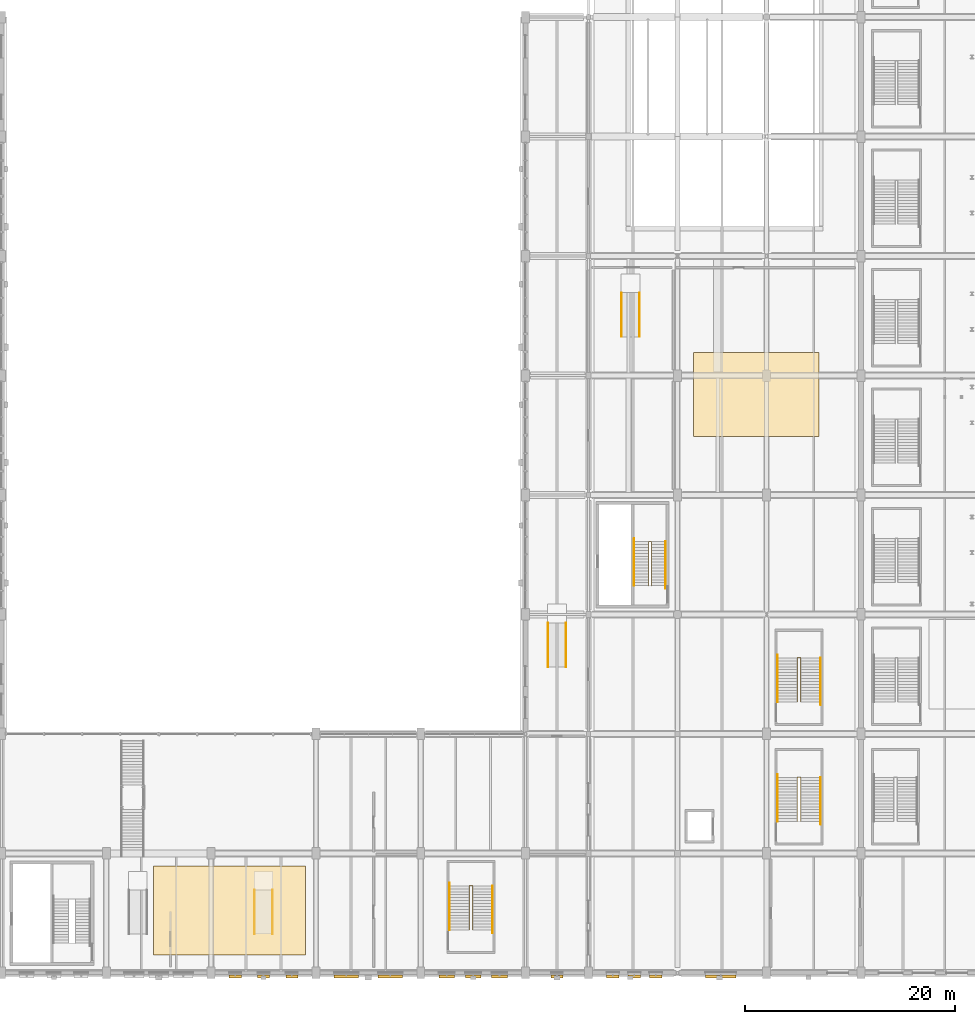
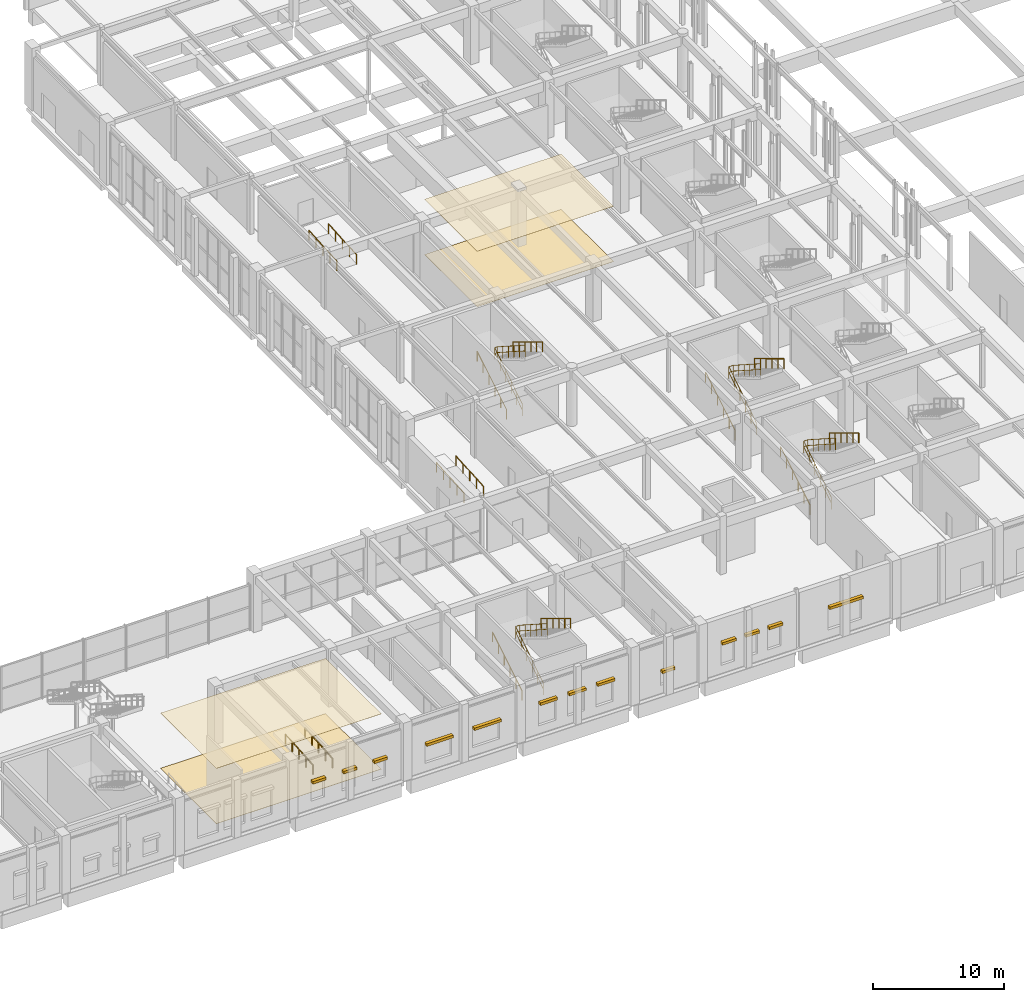
# One storey, part 109 of 113: 18 railings, 13 shading devices, 4 coverings.
"""IFC4 building model written with IfcOpenShell, lengths in metres."""

import ifcopenshell
import ifcopenshell.guid

model = None  # the IFC model being written
_history = None  # IfcOwnerHistory: only IFC2X3 demands one
_inside = {}  # id of a spatial element -> (the spatial element, [elements in it])
_under = {}  # id of a project, library or spatial element -> (it, [spatial elements below it])
_declared = {}  # id of a project -> (the project, [libraries it declares])
_typed = {}  # id of a type object -> (the type object, [elements of that type])
_made_of = {}  # id of a material, layer set ... -> (it, [elements and type objects made of it])


def new_model(schema):
    """Start an empty IFC model of exactly this schema.

    Asked for "IFC4X3", IfcOpenShell would pick the latest addendum, in which some entities
    have other attributes; the version numbers below select the first issue.
    IFC2X3 requires an IfcOwnerHistory on every rooted entity: one is made here for all.
    """
    global model, _history
    if schema == "IFC4X3":
        model = ifcopenshell.file(schema_version=(4, 3, 0, 0))
    else:
        model = ifcopenshell.file(schema=schema)
    _inside.clear()
    _under.clear()
    _declared.clear()
    _typed.clear()
    _made_of.clear()
    _history = None
    if model.schema == "IFC2X3":
        org = make("IfcOrganization", Name="unknown")
        user = make(
            "IfcPersonAndOrganization",
            ThePerson=make("IfcPerson", FamilyName="unknown"),
            TheOrganization=org,
        )
        app = make(
            "IfcApplication",
            ApplicationDeveloper=org,
            Version="unknown",
            ApplicationFullName="unknown",
            ApplicationIdentifier="unknown",
        )
        _history = make(
            "IfcOwnerHistory",
            OwningUser=user,
            OwningApplication=app,
            ChangeAction="ADDED",
            CreationDate=0,
        )
    return model


def make(cls, **values):
    """One entity of the class cls with the attributes given. An attribute that is None is left unset."""
    return model.create_entity(
        cls, **{name: value for name, value in values.items() if value is not None}
    )


def rooted(cls, **values):
    """An entity with a GlobalId (a new one), such as an element, a storey or a relation."""
    return make(cls, GlobalId=ifcopenshell.guid.new(), OwnerHistory=_history, **values)


def si_unit(unit_type, name, prefix=None):
    """IfcSIUnit, for example si_unit("LENGTHUNIT", "METRE", prefix="MILLI")."""
    return make("IfcSIUnit", UnitType=unit_type, Prefix=prefix, Name=name)


def assignment(units):
    """IfcUnitAssignment: the units of a project."""
    return None if units is None else make("IfcUnitAssignment", Units=units)


def point(xyz):
    """IfcCartesianPoint."""
    return None if xyz is None else make("IfcCartesianPoint", Coordinates=xyz)


def direction(xyz):
    """IfcDirection."""
    return None if xyz is None else make("IfcDirection", DirectionRatios=xyz)


def frame(location, z_axis=None, x_axis=None):
    """IfcAxis2Placement3D, a coordinate frame: its origin and axes. An axis left out is left unset."""
    return make(
        "IfcAxis2Placement3D",
        Location=point(location),
        Axis=direction(z_axis),
        RefDirection=direction(x_axis),
    )


def frame_2d(location, x_axis=None):
    """IfcAxis2Placement2D, a coordinate frame in the plane: its origin and x axis."""
    return make(
        "IfcAxis2Placement2D", Location=point(location), RefDirection=direction(x_axis)
    )


def origin():
    """The frame at (0, 0, 0) with its axes left unset."""
    return frame((0.0, 0.0, 0.0))


def origin_2d():
    """The frame at (0, 0) in the plane with its x axis left unset."""
    return frame_2d((0.0, 0.0))


def place(relative_to, where):
    """IfcLocalPlacement: puts the frame where relative to a parent placement (None: the world)."""
    return make(
        "IfcLocalPlacement", PlacementRelTo=relative_to, RelativePlacement=where
    )


def context(
    kind, dimensions, precision=None, world=None, true_north=None, identifier=None
):
    """IfcGeometricRepresentationContext, for example the 3D "Model" context."""
    return make(
        "IfcGeometricRepresentationContext",
        ContextIdentifier=identifier,
        ContextType=kind,
        CoordinateSpaceDimension=dimensions,
        Precision=precision,
        WorldCoordinateSystem=world,
        TrueNorth=true_north,
    )


def subcontext(parent, identifier, kind, view, scale=None):
    """IfcGeometricRepresentationSubContext, for example "Body" below "Model"."""
    return make(
        "IfcGeometricRepresentationSubContext",
        ContextIdentifier=identifier,
        ContextType=kind,
        ParentContext=parent,
        TargetScale=scale,
        TargetView=view,
    )


def project(units=None, contexts=None):
    """IfcProject with its units and contexts."""
    return rooted(
        "IfcProject",
        Name="project",
        RepresentationContexts=contexts,
        UnitsInContext=assignment(units),
    )


def spatial(cls, under=None, at=None, **own):
    """A site, building, storey or space (cls), placed at a placement, below another one or the project."""
    s = rooted(cls, ObjectPlacement=at, **own)
    if under is not None:
        _under.setdefault(under.id(), (under, []))[1].append(s)
    return s


def polyline(points):
    """IfcPolyline through the points."""
    return make("IfcPolyline", Points=[point(p) for p in points])


def profile(cls, at=None, kind="AREA", **sizes):
    """A parametric profile (cls). Its sizes go by their IFC names, for example OverallWidth=200.0."""
    return make(cls, ProfileType=kind, Position=at, **sizes)


def rectangle(**sizes):
    """IfcRectangleProfileDef."""
    return profile("IfcRectangleProfileDef", **sizes)


def circle(**sizes):
    """IfcCircleProfileDef."""
    return profile("IfcCircleProfileDef", **sizes)


def outline(outer, holes=None, kind="AREA"):
    """IfcArbitraryClosedProfileDef: a profile drawn as a closed curve; with holes, ...WithVoids."""
    if holes is None:
        return make("IfcArbitraryClosedProfileDef", ProfileType=kind, OuterCurve=outer)
    return make(
        "IfcArbitraryProfileDefWithVoids",
        ProfileType=kind,
        OuterCurve=outer,
        InnerCurves=holes,
    )


def extrude(swept, where, along, depth):
    """IfcExtrudedAreaSolid: the profile swept, set in the frame where, extruded along a direction by depth."""
    return make(
        "IfcExtrudedAreaSolid",
        SweptArea=swept,
        Position=where,
        ExtrudedDirection=direction(along),
        Depth=depth,
    )


def shape(context_of_items, identifier, shape_type, items):
    """IfcShapeRepresentation: the items that make up one representation, for example the "Body"."""
    return make(
        "IfcShapeRepresentation",
        ContextOfItems=context_of_items,
        RepresentationIdentifier=identifier,
        RepresentationType=shape_type,
        Items=items,
    )


def material(Name=None, Category=None):
    """IfcMaterial."""
    return make("IfcMaterial", Name=Name, Category=Category)


def layer(
    of_material, thickness, ventilated=None, Name=None, Category=None, Priority=None
):
    """IfcMaterialLayer: one layer of a wall or slab, of a material (None: an air gap)."""
    return make(
        "IfcMaterialLayer",
        Material=of_material,
        LayerThickness=thickness,
        IsVentilated=ventilated,
        Name=Name,
        Category=Category,
        Priority=Priority,
    )


def layer_set(layers, Name=None):
    """IfcMaterialLayerSet."""
    return make("IfcMaterialLayerSet", MaterialLayers=layers, LayerSetName=Name)


def made_of(thing, what):
    """Note that an element or type object is made of a material, layer set ...; save() writes the relation."""
    if what is not None:
        _made_of.setdefault(what.id(), (what, []))[1].append(thing)
    return thing


def type_object(cls, material=None, **own):
    """A type object (cls), such as IfcWallType, which elements share."""
    return made_of(rooted(cls, **own), material)


def element(
    cls,
    number,
    at=None,
    inside=None,
    cuts=None,
    type_object=None,
    material=None,
    context=None,
    identifier="Body",
    shape_type=None,
    held_by="IfcProductDefinitionShape",
    body=None,
    shapes=None,
    **own,
):
    """One element of the class cls, such as IfcWall. Its Tag is "e" and its number.

    at: its placement. inside: the storey or other place that contains it. cuts: it is an
    opening in that element (IfcRelVoidsElement). A single representation is given by context,
    identifier, shape_type and body (its items); several are given by shapes. held_by: the class
    of the entity that holds the representations. save() writes the other relations.
    """
    e = rooted(cls, Tag="e%d" % number, ObjectPlacement=at, **own)
    if body is not None:
        shapes = [shape(context, identifier, shape_type, body)]
    if shapes is not None:
        e.Representation = make(held_by, Representations=shapes)
    if inside is not None:
        _inside.setdefault(inside.id(), (inside, []))[1].append(e)
    if cuts is not None:
        rooted(
            "IfcRelVoidsElement", RelatingBuildingElement=cuts, RelatedOpeningElement=e
        )
    if type_object is not None:
        _typed.setdefault(type_object.id(), (type_object, []))[1].append(e)
    return made_of(e, material)


def aggregate(whole, parts):
    """IfcRelAggregates: a whole, such as a stair, and the parts it consists of."""
    return rooted("IfcRelAggregates", RelatingObject=whole, RelatedObjects=parts)


def save(model, path):
    """Write the relations noted so far, then the file.

    IfcRelAggregates (storeys below a building ...), IfcRelContainedInSpatialStructure (elements
    in a storey), IfcRelDefinesByType, IfcRelAssociatesMaterial and IfcRelDeclares: one each for
    every whole, place, type object, material and project.
    """
    for whole, parts in _under.values():
        aggregate(whole, parts)
    for where, things in _inside.values():
        rooted(
            "IfcRelContainedInSpatialStructure",
            RelatedElements=things,
            RelatingStructure=where,
        )
    for kind, things in _typed.values():
        rooted("IfcRelDefinesByType", RelatedObjects=things, RelatingType=kind)
    for what, things in _made_of.values():
        rooted("IfcRelAssociatesMaterial", RelatedObjects=things, RelatingMaterial=what)
    for by, libraries in _declared.values():
        rooted("IfcRelDeclares", RelatingContext=by, RelatedDefinitions=libraries)
    model.write(path)


model = new_model("IFC4")

# Units and contexts
model_context = context("Model", 3, precision=1e-05, world=origin(), true_north=direction((0.0, 1.0)))
body_context = subcontext(model_context, "Body", "Model", "MODEL_VIEW")
ifc_project = project(units=[si_unit("LENGTHUNIT", "METRE"), si_unit("AREAUNIT", "SQUARE_METRE"), si_unit("VOLUMEUNIT", "CUBIC_METRE"), si_unit("PLANEANGLEUNIT", "RADIAN"), si_unit("MASSUNIT", "GRAM", prefix="KILO"), si_unit("POWERUNIT", "WATT"), si_unit("THERMODYNAMICTEMPERATUREUNIT", "KELVIN")], contexts=[model_context])

# Site, building, storey
site_placement = place(None, origin())
site = spatial("IfcSite", under=ifc_project, at=site_placement, CompositionType="ELEMENT")
building_placement = place(site_placement, origin())
building = spatial("IfcBuilding", under=site, at=building_placement, Name="Kelmbourne Parkland Aquatics Centre", CompositionType="ELEMENT")
storey_placement = place(building_placement, origin())
storey = spatial("IfcBuildingStorey", under=building, at=storey_placement, Name="L00", CompositionType="ELEMENT", Elevation=0.0)

# Coverings
ifc_material_1 = material(Name="Moisture-resistant acoustic mineral-fibre baffle ceiling", Category="gypsum")
ifc_layer_1 = layer(ifc_material_1, 0.02490234375)
ifc_layer_set_1 = layer_set([ifc_layer_1], Name="Moisture-resistant acoustic mineral-fibre baffle ceiling")
covering_type_1 = type_object("IfcCoveringType", Name="COV-CLG-AC", PredefinedType="CEILING", material=ifc_layer_set_1)
covering_1_placement = place(storey_placement, frame((0.0, 0.0, 5.135009765625)))
element("IfcCovering", 1, at=covering_1_placement, inside=storey, type_object=covering_type_1, Name="Foyer acoustic ceiling baffles", PredefinedType="CEILING", context=body_context, shape_type="SweptSolid", body=[
    extrude(outline(polyline([(60.5, 2.5), (75.0, 2.5), (75.0, 11.0), (60.5, 11.0), (60.5, 2.5)])), origin(), (0.0, 0.0, 1.0), 0.02490234375),
])
covering_2_placement = place(storey_placement, frame((0.0, 0.0, 5.135009765625)))
element("IfcCovering", 2, at=covering_2_placement, inside=storey, type_object=covering_type_1, Name="Village acoustic ceiling baffles", PredefinedType="CEILING", context=body_context, shape_type="SweptSolid", body=[
    extrude(outline(polyline([(112.0, 52.0), (124.0, 52.0), (124.0, 60.0), (112.0, 60.0), (112.0, 52.0)])), origin(), (0.0, 0.0, 1.0), 0.02490234375),
])
ifc_material_2 = material(Name="Anti-slip vitrified ceramic aquatic deck tile", Category="ceramic")
ifc_layer_2 = layer(ifc_material_2, 0.02001953125)
ifc_layer_set_2 = layer_set([ifc_layer_2], Name="Anti-slip vitrified ceramic aquatic deck tile")
covering_type_2 = type_object("IfcCoveringType", Name="COV-FLR-TILE", PredefinedType="FLOORING", material=ifc_layer_set_2)
covering_3_placement = place(storey_placement, origin())
element("IfcCovering", 3, at=covering_3_placement, inside=storey, type_object=covering_type_2, Name="Foyer anti-slip floor tiling", PredefinedType="FLOORING", context=body_context, shape_type="SweptSolid", body=[
    extrude(outline(polyline([(60.5, 2.5), (75.0, 2.5), (75.0, 11.0), (60.5, 11.0), (60.5, 2.5)])), origin(), (0.0, 0.0, 1.0), 0.02001953125),
])
covering_4_placement = place(storey_placement, origin())
element("IfcCovering", 4, at=covering_4_placement, inside=storey, type_object=covering_type_2, Name="Village anti-slip floor tiling", PredefinedType="FLOORING", context=body_context, shape_type="SweptSolid", body=[
    extrude(outline(polyline([(112.0, 52.0), (124.0, 52.0), (124.0, 60.0), (112.0, 60.0), (112.0, 52.0)])), origin(), (0.0, 0.0, 1.0), 0.02001953125),
])

# Railings
ifc_material_3 = material(Name="Grade 316 marine stainless steel", Category="steel")
railing_type_1 = type_object("IfcRailingType", Name="RL-GD-112", PredefinedType="GUARDRAIL", material=ifc_material_3)
railing_1_placement = place(storey_placement, frame((107.7451171875, 37.75, 0.0)))
element("IfcRailing", 5, at=railing_1_placement, inside=storey, type_object=railing_type_1, Name="East Spine Club and Village Core Stair ST04 well guardrail", PredefinedType="GUARDRAIL", context=body_context, shape_type="SweptSolid", body=[
    extrude(circle(Radius=0.02392578125, at=origin_2d()), frame((0.0, 0.0, 1.09619140625), z_axis=(0.0, 0.841180064094, 0.540755119968), x_axis=(-1.0, 0.0, 0.0)), (0.0, 0.0, 1.0), 4.992919921875),
    extrude(circle(Radius=0.02392578125, at=origin_2d()), frame((0.0, 0.0, 0.56005859375), z_axis=(0.0, 0.841180064094, 0.540755119968), x_axis=(-1.0, 0.0, 0.0)), (0.0, 0.0, 1.0), 4.992919921875),
    extrude(circle(Radius=0.02392578125, at=origin_2d()), frame((0.0, 4.199951171875, 3.7958984375), z_axis=(1.0, 0.0, 0.0), x_axis=(0.0, 1.0, 0.0)), (0.0, 0.0, 1.0), 0.23486328125),
    extrude(circle(Radius=0.02392578125, at=origin_2d()), frame((0.0, 4.199951171875, 3.260009765625), z_axis=(1.0, 0.0, 0.0), x_axis=(0.0, 1.0, 0.0)), (0.0, 0.0, 1.0), 0.23486328125),
    extrude(circle(Radius=0.02392578125, at=origin_2d()), frame((0.23486328125, 4.199951171875, 3.7958984375), z_axis=(0.0, -0.841180064094, 0.540755119968), x_axis=(1.0, 0.0, 0.0)), (0.0, 0.0, 1.0), 4.992919921875),
    extrude(circle(Radius=0.02392578125, at=origin_2d()), frame((0.23486328125, 4.199951171875, 3.260009765625), z_axis=(0.0, -0.841180064094, 0.540755119968), x_axis=(1.0, 0.0, 0.0)), (0.0, 0.0, 1.0), 4.992919921875),
    extrude(circle(Radius=0.02099609375, at=origin_2d()), origin(), (0.0, 0.0, 1.0), 1.072021484375),
    extrude(circle(Radius=0.02099609375, at=origin_2d()), frame((0.0, 0.840087890625, 0.5400390625)), (0.0, 0.0, 1.0), 1.072021484375),
    extrude(circle(Radius=0.02099609375, at=origin_2d()), frame((0.0, 1.679931640625, 1.080078125)), (0.0, 0.0, 1.0), 1.072021484375),
    extrude(circle(Radius=0.02099609375, at=origin_2d()), frame((0.0, 2.52001953125, 1.619873046875)), (0.0, 0.0, 1.0), 1.072021484375),
    extrude(circle(Radius=0.02099609375, at=origin_2d()), frame((0.0, 3.35986328125, 2.159912109375)), (0.0, 0.0, 1.0), 1.072021484375),
    extrude(circle(Radius=0.02099609375, at=origin_2d()), frame((0.0, 4.199951171875, 2.699951171875)), (0.0, 0.0, 1.0), 1.072021484375),
    extrude(circle(Radius=0.02099609375, at=origin_2d()), frame((0.23486328125, 4.199951171875, 2.699951171875)), (0.0, 0.0, 1.0), 1.072021484375),
    extrude(circle(Radius=0.02099609375, at=origin_2d()), frame((0.23486328125, 3.35986328125, 3.239990234375)), (0.0, 0.0, 1.0), 1.072021484375),
    extrude(circle(Radius=0.02099609375, at=origin_2d()), frame((0.23486328125, 2.52001953125, 3.780029296875)), (0.0, 0.0, 1.0), 1.072021484375),
    extrude(circle(Radius=0.02099609375, at=origin_2d()), frame((0.23486328125, 1.679931640625, 4.31982421875)), (0.0, 0.0, 1.0), 1.072021484375),
    extrude(circle(Radius=0.02099609375, at=origin_2d()), frame((0.23486328125, 0.840087890625, 4.85986328125)), (0.0, 0.0, 1.0), 1.072021484375),
    extrude(circle(Radius=0.02099609375, at=origin_2d()), frame((0.23486328125, 0.0, 5.39990234375)), (0.0, 0.0, 1.0), 1.072021484375),
])
railing_2_placement = place(storey_placement, frame((121.919921875, 15.25, 0.0)))
element("IfcRailing", 6, at=railing_2_placement, inside=storey, type_object=railing_type_1, Name="South East Concourse Exit Stair well guardrail", PredefinedType="GUARDRAIL", context=body_context, shape_type="SweptSolid", body=[
    extrude(circle(Radius=0.02392578125, at=origin_2d()), frame((0.0, 0.0, 1.09619140625), z_axis=(0.0, 0.841180064094, 0.540755119968), x_axis=(-1.0, 0.0, 0.0)), (0.0, 0.0, 1.0), 4.992919921875),
    extrude(circle(Radius=0.02392578125, at=origin_2d()), frame((0.0, 0.0, 0.56005859375), z_axis=(0.0, 0.841180064094, 0.540755119968), x_axis=(-1.0, 0.0, 0.0)), (0.0, 0.0, 1.0), 4.992919921875),
    extrude(circle(Radius=0.02392578125, at=origin_2d()), frame((0.0, 4.199951171875, 3.7958984375), z_axis=(1.0, 0.0, 0.0), x_axis=(0.0, 1.0, 0.0)), (0.0, 0.0, 1.0), 0.360107421875),
    extrude(circle(Radius=0.02392578125, at=origin_2d()), frame((0.0, 4.199951171875, 3.260009765625), z_axis=(1.0, 0.0, 0.0), x_axis=(0.0, 1.0, 0.0)), (0.0, 0.0, 1.0), 0.360107421875),
    extrude(circle(Radius=0.02392578125, at=origin_2d()), frame((0.360107421875, 4.199951171875, 3.7958984375), z_axis=(0.0, -0.841180064094, 0.540755119968), x_axis=(1.0, 0.0, 0.0)), (0.0, 0.0, 1.0), 4.992919921875),
    extrude(circle(Radius=0.02392578125, at=origin_2d()), frame((0.360107421875, 4.199951171875, 3.260009765625), z_axis=(0.0, -0.841180064094, 0.540755119968), x_axis=(1.0, 0.0, 0.0)), (0.0, 0.0, 1.0), 4.992919921875),
    extrude(circle(Radius=0.02099609375, at=origin_2d()), origin(), (0.0, 0.0, 1.0), 1.072021484375),
    extrude(circle(Radius=0.02099609375, at=origin_2d()), frame((0.0, 0.840087890625, 0.5400390625)), (0.0, 0.0, 1.0), 1.072021484375),
    extrude(circle(Radius=0.02099609375, at=origin_2d()), frame((0.0, 1.679931640625, 1.080078125)), (0.0, 0.0, 1.0), 1.072021484375),
    extrude(circle(Radius=0.02099609375, at=origin_2d()), frame((0.0, 2.52001953125, 1.619873046875)), (0.0, 0.0, 1.0), 1.072021484375),
    extrude(circle(Radius=0.02099609375, at=origin_2d()), frame((0.0, 3.35986328125, 2.159912109375)), (0.0, 0.0, 1.0), 1.072021484375),
    extrude(circle(Radius=0.02099609375, at=origin_2d()), frame((0.0, 4.199951171875, 2.699951171875)), (0.0, 0.0, 1.0), 1.072021484375),
    extrude(circle(Radius=0.02099609375, at=origin_2d()), frame((0.360107421875, 4.199951171875, 2.699951171875)), (0.0, 0.0, 1.0), 1.072021484375),
    extrude(circle(Radius=0.02099609375, at=origin_2d()), frame((0.360107421875, 3.35986328125, 3.239990234375)), (0.0, 0.0, 1.0), 1.072021484375),
    extrude(circle(Radius=0.02099609375, at=origin_2d()), frame((0.360107421875, 2.52001953125, 3.780029296875)), (0.0, 0.0, 1.0), 1.072021484375),
    extrude(circle(Radius=0.02099609375, at=origin_2d()), frame((0.360107421875, 1.679931640625, 4.31982421875)), (0.0, 0.0, 1.0), 1.072021484375),
    extrude(circle(Radius=0.02099609375, at=origin_2d()), frame((0.360107421875, 0.840087890625, 4.85986328125)), (0.0, 0.0, 1.0), 1.072021484375),
    extrude(circle(Radius=0.02099609375, at=origin_2d()), frame((0.360107421875, 0.0, 5.39990234375)), (0.0, 0.0, 1.0), 1.072021484375),
])
railing_3_placement = place(storey_placement, frame((90.6201171875, 4.89990234375, 0.0)))
element("IfcRailing", 7, at=railing_3_placement, inside=storey, type_object=railing_type_1, Name="Foyer East Gallery Exit Stair well guardrail", PredefinedType="GUARDRAIL", context=body_context, shape_type="SweptSolid", body=[
    extrude(circle(Radius=0.02392578125, at=origin_2d()), frame((0.0, 0.0, 1.09619140625), z_axis=(0.0, 0.841194361566, 0.540732878665), x_axis=(-1.0, 0.0, 0.0)), (0.0, 0.0, 1.0), 4.9931640625),
    extrude(circle(Radius=0.02392578125, at=origin_2d()), frame((0.0, 0.0, 0.56005859375), z_axis=(0.0, 0.841194361566, 0.540732878665), x_axis=(-1.0, 0.0, 0.0)), (0.0, 0.0, 1.0), 4.9931640625),
    extrude(circle(Radius=0.02392578125, at=origin_2d()), frame((0.0, 4.2001953125, 3.7958984375), z_axis=(1.0, 0.0, 0.0), x_axis=(0.0, 1.0, 0.0)), (0.0, 0.0, 1.0), 0.35986328125),
    extrude(circle(Radius=0.02392578125, at=origin_2d()), frame((0.0, 4.2001953125, 3.260009765625), z_axis=(1.0, 0.0, 0.0), x_axis=(0.0, 1.0, 0.0)), (0.0, 0.0, 1.0), 0.35986328125),
    extrude(circle(Radius=0.02392578125, at=origin_2d()), frame((0.35986328125, 4.2001953125, 3.7958984375), z_axis=(0.0, -0.841194361566, 0.540732878665), x_axis=(1.0, 0.0, 0.0)), (0.0, 0.0, 1.0), 4.9931640625),
    extrude(circle(Radius=0.02392578125, at=origin_2d()), frame((0.35986328125, 4.2001953125, 3.260009765625), z_axis=(0.0, -0.841194361566, 0.540732878665), x_axis=(1.0, 0.0, 0.0)), (0.0, 0.0, 1.0), 4.9931640625),
    extrude(circle(Radius=0.02099609375, at=origin_2d()), origin(), (0.0, 0.0, 1.0), 1.072021484375),
    extrude(circle(Radius=0.02099609375, at=origin_2d()), frame((0.0, 0.840087890625, 0.5400390625)), (0.0, 0.0, 1.0), 1.072021484375),
    extrude(circle(Radius=0.02099609375, at=origin_2d()), frame((0.0, 1.68017578125, 1.080078125)), (0.0, 0.0, 1.0), 1.072021484375),
    extrude(circle(Radius=0.02099609375, at=origin_2d()), frame((0.0, 2.52001953125, 1.619873046875)), (0.0, 0.0, 1.0), 1.072021484375),
    extrude(circle(Radius=0.02099609375, at=origin_2d()), frame((0.0, 3.360107421875, 2.159912109375)), (0.0, 0.0, 1.0), 1.072021484375),
    extrude(circle(Radius=0.02099609375, at=origin_2d()), frame((0.0, 4.2001953125, 2.699951171875)), (0.0, 0.0, 1.0), 1.072021484375),
    extrude(circle(Radius=0.02099609375, at=origin_2d()), frame((0.35986328125, 4.2001953125, 2.699951171875)), (0.0, 0.0, 1.0), 1.072021484375),
    extrude(circle(Radius=0.02099609375, at=origin_2d()), frame((0.35986328125, 3.360107421875, 3.239990234375)), (0.0, 0.0, 1.0), 1.072021484375),
    extrude(circle(Radius=0.02099609375, at=origin_2d()), frame((0.35986328125, 2.52001953125, 3.780029296875)), (0.0, 0.0, 1.0), 1.072021484375),
    extrude(circle(Radius=0.02099609375, at=origin_2d()), frame((0.35986328125, 1.68017578125, 4.31982421875)), (0.0, 0.0, 1.0), 1.072021484375),
    extrude(circle(Radius=0.02099609375, at=origin_2d()), frame((0.35986328125, 0.840087890625, 4.85986328125)), (0.0, 0.0, 1.0), 1.072021484375),
    extrude(circle(Radius=0.02099609375, at=origin_2d()), frame((0.35986328125, 0.0, 5.39990234375)), (0.0, 0.0, 1.0), 1.072021484375),
])
railing_4_placement = place(storey_placement, frame((121.919921875, 26.64990234375, 0.0)))
element("IfcRailing", 8, at=railing_4_placement, inside=storey, type_object=railing_type_1, Name="East Club Terrace Exit Stair well guardrail", PredefinedType="GUARDRAIL", context=body_context, shape_type="SweptSolid", body=[
    extrude(circle(Radius=0.02392578125, at=origin_2d()), frame((0.0, 0.0, 1.09619140625), z_axis=(0.0, 0.841194361566, 0.540732878665), x_axis=(-1.0, 0.0, 0.0)), (0.0, 0.0, 1.0), 4.9931640625),
    extrude(circle(Radius=0.02392578125, at=origin_2d()), frame((0.0, 0.0, 0.56005859375), z_axis=(0.0, 0.841194361566, 0.540732878665), x_axis=(-1.0, 0.0, 0.0)), (0.0, 0.0, 1.0), 4.9931640625),
    extrude(circle(Radius=0.02392578125, at=origin_2d()), frame((0.0, 4.2001953125, 3.7958984375), z_axis=(1.0, 0.0, 0.0), x_axis=(0.0, 1.0, 0.0)), (0.0, 0.0, 1.0), 0.360107421875),
    extrude(circle(Radius=0.02392578125, at=origin_2d()), frame((0.0, 4.2001953125, 3.260009765625), z_axis=(1.0, 0.0, 0.0), x_axis=(0.0, 1.0, 0.0)), (0.0, 0.0, 1.0), 0.360107421875),
    extrude(circle(Radius=0.02392578125, at=origin_2d()), frame((0.360107421875, 4.2001953125, 3.7958984375), z_axis=(0.0, -0.841194361566, 0.540732878665), x_axis=(1.0, 0.0, 0.0)), (0.0, 0.0, 1.0), 4.9931640625),
    extrude(circle(Radius=0.02392578125, at=origin_2d()), frame((0.360107421875, 4.2001953125, 3.260009765625), z_axis=(0.0, -0.841194361566, 0.540732878665), x_axis=(1.0, 0.0, 0.0)), (0.0, 0.0, 1.0), 4.9931640625),
    extrude(circle(Radius=0.02099609375, at=origin_2d()), origin(), (0.0, 0.0, 1.0), 1.072021484375),
    extrude(circle(Radius=0.02099609375, at=origin_2d()), frame((0.0, 0.840087890625, 0.5400390625)), (0.0, 0.0, 1.0), 1.072021484375),
    extrude(circle(Radius=0.02099609375, at=origin_2d()), frame((0.0, 1.68017578125, 1.080078125)), (0.0, 0.0, 1.0), 1.072021484375),
    extrude(circle(Radius=0.02099609375, at=origin_2d()), frame((0.0, 2.52001953125, 1.619873046875)), (0.0, 0.0, 1.0), 1.072021484375),
    extrude(circle(Radius=0.02099609375, at=origin_2d()), frame((0.0, 3.360107421875, 2.159912109375)), (0.0, 0.0, 1.0), 1.072021484375),
    extrude(circle(Radius=0.02099609375, at=origin_2d()), frame((0.0, 4.2001953125, 2.699951171875)), (0.0, 0.0, 1.0), 1.072021484375),
    extrude(circle(Radius=0.02099609375, at=origin_2d()), frame((0.360107421875, 4.2001953125, 2.699951171875)), (0.0, 0.0, 1.0), 1.072021484375),
    extrude(circle(Radius=0.02099609375, at=origin_2d()), frame((0.360107421875, 3.360107421875, 3.239990234375)), (0.0, 0.0, 1.0), 1.072021484375),
    extrude(circle(Radius=0.02099609375, at=origin_2d()), frame((0.360107421875, 2.52001953125, 3.780029296875)), (0.0, 0.0, 1.0), 1.072021484375),
    extrude(circle(Radius=0.02099609375, at=origin_2d()), frame((0.360107421875, 1.68017578125, 4.31982421875)), (0.0, 0.0, 1.0), 1.072021484375),
    extrude(circle(Radius=0.02099609375, at=origin_2d()), frame((0.360107421875, 0.840087890625, 4.85986328125)), (0.0, 0.0, 1.0), 1.072021484375),
    extrude(circle(Radius=0.02099609375, at=origin_2d()), frame((0.360107421875, 0.0, 5.39990234375)), (0.0, 0.0, 1.0), 1.072021484375),
])
railing_type_2 = type_object("IfcRailingType", Name="RL-HR-92", PredefinedType="HANDRAIL", material=ifc_material_3)
railing_5_placement = place(storey_placement, frame((106.364990234375, 37.75, 0.168701171875)))
element("IfcRailing", 9, at=railing_5_placement, inside=storey, type_object=railing_type_2, Name="East Spine Club and Village Core Stair ST04 F1 handrail", PredefinedType="HANDRAIL", context=body_context, shape_type="SweptSolid", body=[
    extrude(circle(Radius=0.02392578125, at=origin_2d()), frame((0.0, 0.0, 0.89599609375), z_axis=(0.0, 0.856461642802, 0.516210668632), x_axis=(-1.0, 0.0, 0.0)), (0.0, 0.0, 1.0), 5.230712890625),
    extrude(circle(Radius=0.02099609375, at=origin_2d()), origin(), (0.0, 0.0, 1.0), 0.871826171875),
    extrude(circle(Radius=0.02099609375, at=origin_2d()), frame((0.0, 0.89599609375, 0.5400390625)), (0.0, 0.0, 1.0), 0.871826171875),
    extrude(circle(Radius=0.02099609375, at=origin_2d()), frame((0.0, 1.7919921875, 1.080078125)), (0.0, 0.0, 1.0), 0.871826171875),
    extrude(circle(Radius=0.02099609375, at=origin_2d()), frame((0.0, 2.68798828125, 1.6201171875)), (0.0, 0.0, 1.0), 0.871826171875),
    extrude(circle(Radius=0.02099609375, at=origin_2d()), frame((0.0, 3.583984375, 2.16015625)), (0.0, 0.0, 1.0), 0.871826171875),
    extrude(circle(Radius=0.02099609375, at=origin_2d()), frame((0.0, 4.47998046875, 2.7001953125)), (0.0, 0.0, 1.0), 0.871826171875),
])
railing_6_placement = place(storey_placement, frame((109.360107421875, 41.949951171875, 2.868896484375)))
element("IfcRailing", 10, at=railing_6_placement, inside=storey, type_object=railing_type_2, Name="East Spine Club and Village Core Stair ST04 F2 handrail", PredefinedType="HANDRAIL", context=body_context, shape_type="SweptSolid", body=[
    extrude(circle(Radius=0.02392578125, at=origin_2d()), frame((0.0, 0.0, 0.89599609375), z_axis=(0.0, -0.856482277723, 0.516176431026), x_axis=(1.0, 0.0, 0.0)), (0.0, 0.0, 1.0), 5.230712890625),
    extrude(circle(Radius=0.02099609375, at=origin_2d()), origin(), (0.0, 0.0, 1.0), 0.871826171875),
    extrude(circle(Radius=0.02099609375, at=origin_2d()), frame((0.0, -0.89599609375, 0.5400390625)), (0.0, 0.0, 1.0), 0.871826171875),
    extrude(circle(Radius=0.02099609375, at=origin_2d()), frame((0.0, -1.7919921875, 1.080078125)), (0.0, 0.0, 1.0), 0.871826171875),
    extrude(circle(Radius=0.02099609375, at=origin_2d()), frame((0.0, -2.68798828125, 1.619873046875)), (0.0, 0.0, 1.0), 0.871826171875),
    extrude(circle(Radius=0.02099609375, at=origin_2d()), frame((0.0, -3.583984375, 2.159912109375)), (0.0, 0.0, 1.0), 0.871826171875),
    extrude(circle(Radius=0.02099609375, at=origin_2d()), frame((0.0, -4.47998046875, 2.699951171875)), (0.0, 0.0, 1.0), 0.871826171875),
])
railing_7_placement = place(storey_placement, frame((120.0400390625, 15.25, 0.168701171875)))
element("IfcRailing", 11, at=railing_7_placement, inside=storey, type_object=railing_type_2, Name="South East Concourse Exit Stair F1 handrail", PredefinedType="HANDRAIL", context=body_context, shape_type="SweptSolid", body=[
    extrude(circle(Radius=0.02392578125, at=origin_2d()), frame((0.0, 0.0, 0.89599609375), z_axis=(0.0, 0.856461642802, 0.516210668632), x_axis=(-1.0, 0.0, 0.0)), (0.0, 0.0, 1.0), 5.230712890625),
    extrude(circle(Radius=0.02099609375, at=origin_2d()), origin(), (0.0, 0.0, 1.0), 0.871826171875),
    extrude(circle(Radius=0.02099609375, at=origin_2d()), frame((0.0, 0.89599609375, 0.5400390625)), (0.0, 0.0, 1.0), 0.871826171875),
    extrude(circle(Radius=0.02099609375, at=origin_2d()), frame((0.0, 1.7919921875, 1.080078125)), (0.0, 0.0, 1.0), 0.871826171875),
    extrude(circle(Radius=0.02099609375, at=origin_2d()), frame((0.0, 2.68798828125, 1.6201171875)), (0.0, 0.0, 1.0), 0.871826171875),
    extrude(circle(Radius=0.02099609375, at=origin_2d()), frame((0.0, 3.583984375, 2.16015625)), (0.0, 0.0, 1.0), 0.871826171875),
    extrude(circle(Radius=0.02099609375, at=origin_2d()), frame((0.0, 4.47998046875, 2.7001953125)), (0.0, 0.0, 1.0), 0.871826171875),
])
railing_8_placement = place(storey_placement, frame((124.159912109375, 19.449951171875, 2.868896484375)))
element("IfcRailing", 12, at=railing_8_placement, inside=storey, type_object=railing_type_2, Name="South East Concourse Exit Stair F2 handrail", PredefinedType="HANDRAIL", context=body_context, shape_type="SweptSolid", body=[
    extrude(circle(Radius=0.02392578125, at=origin_2d()), frame((0.0, 0.0, 0.89599609375), z_axis=(0.0, -0.856482277723, 0.516176431026), x_axis=(1.0, 0.0, 0.0)), (0.0, 0.0, 1.0), 5.230712890625),
    extrude(circle(Radius=0.02099609375, at=origin_2d()), origin(), (0.0, 0.0, 1.0), 0.871826171875),
    extrude(circle(Radius=0.02099609375, at=origin_2d()), frame((0.0, -0.89599609375, 0.5400390625)), (0.0, 0.0, 1.0), 0.871826171875),
    extrude(circle(Radius=0.02099609375, at=origin_2d()), frame((0.0, -1.7919921875, 1.080078125)), (0.0, 0.0, 1.0), 0.871826171875),
    extrude(circle(Radius=0.02099609375, at=origin_2d()), frame((0.0, -2.68798828125, 1.619873046875)), (0.0, 0.0, 1.0), 0.871826171875),
    extrude(circle(Radius=0.02099609375, at=origin_2d()), frame((0.0, -3.583984375, 2.159912109375)), (0.0, 0.0, 1.0), 0.871826171875),
    extrude(circle(Radius=0.02099609375, at=origin_2d()), frame((0.0, -4.47998046875, 2.699951171875)), (0.0, 0.0, 1.0), 0.871826171875),
])
railing_9_placement = place(storey_placement, frame((88.739990234375, 4.89990234375, 0.168701171875)))
element("IfcRailing", 13, at=railing_9_placement, inside=storey, type_object=railing_type_2, Name="Foyer East Gallery Exit Stair F1 handrail", PredefinedType="HANDRAIL", context=body_context, shape_type="SweptSolid", body=[
    extrude(circle(Radius=0.02392578125, at=origin_2d()), frame((0.0, 0.0, 0.89599609375), z_axis=(0.0, 0.856461642802, 0.516210668632), x_axis=(-1.0, 0.0, 0.0)), (0.0, 0.0, 1.0), 5.230712890625),
    extrude(circle(Radius=0.02099609375, at=origin_2d()), origin(), (0.0, 0.0, 1.0), 0.871826171875),
    extrude(circle(Radius=0.02099609375, at=origin_2d()), frame((0.0, 0.89599609375, 0.5400390625)), (0.0, 0.0, 1.0), 0.871826171875),
    extrude(circle(Radius=0.02099609375, at=origin_2d()), frame((0.0, 1.7919921875, 1.080078125)), (0.0, 0.0, 1.0), 0.871826171875),
    extrude(circle(Radius=0.02099609375, at=origin_2d()), frame((0.0, 2.68798828125, 1.6201171875)), (0.0, 0.0, 1.0), 0.871826171875),
    extrude(circle(Radius=0.02099609375, at=origin_2d()), frame((0.0, 3.583984375, 2.16015625)), (0.0, 0.0, 1.0), 0.871826171875),
    extrude(circle(Radius=0.02099609375, at=origin_2d()), frame((0.0, 4.47998046875, 2.7001953125)), (0.0, 0.0, 1.0), 0.871826171875),
])
railing_10_placement = place(storey_placement, frame((92.860107421875, 9.10009765625, 2.868896484375)))
element("IfcRailing", 14, at=railing_10_placement, inside=storey, type_object=railing_type_2, Name="Foyer East Gallery Exit Stair F2 handrail", PredefinedType="HANDRAIL", context=body_context, shape_type="SweptSolid", body=[
    extrude(circle(Radius=0.02392578125, at=origin_2d()), frame((0.0, 0.0, 0.89599609375), z_axis=(0.0, -0.856482277723, 0.516176431026), x_axis=(1.0, 0.0, 0.0)), (0.0, 0.0, 1.0), 5.230712890625),
    extrude(circle(Radius=0.02099609375, at=origin_2d()), origin(), (0.0, 0.0, 1.0), 0.871826171875),
    extrude(circle(Radius=0.02099609375, at=origin_2d()), frame((0.0, -0.89599609375, 0.5400390625)), (0.0, 0.0, 1.0), 0.871826171875),
    extrude(circle(Radius=0.02099609375, at=origin_2d()), frame((0.0, -1.7919921875, 1.080078125)), (0.0, 0.0, 1.0), 0.871826171875),
    extrude(circle(Radius=0.02099609375, at=origin_2d()), frame((0.0, -2.68798828125, 1.619873046875)), (0.0, 0.0, 1.0), 0.871826171875),
    extrude(circle(Radius=0.02099609375, at=origin_2d()), frame((0.0, -3.583984375, 2.159912109375)), (0.0, 0.0, 1.0), 0.871826171875),
    extrude(circle(Radius=0.02099609375, at=origin_2d()), frame((0.0, -4.47998046875, 2.699951171875)), (0.0, 0.0, 1.0), 0.871826171875),
])
railing_11_placement = place(storey_placement, frame((120.0400390625, 26.64990234375, 0.168701171875)))
element("IfcRailing", 15, at=railing_11_placement, inside=storey, type_object=railing_type_2, Name="East Club Terrace Exit Stair F1 handrail", PredefinedType="HANDRAIL", context=body_context, shape_type="SweptSolid", body=[
    extrude(circle(Radius=0.02392578125, at=origin_2d()), frame((0.0, 0.0, 0.89599609375), z_axis=(0.0, 0.856461642802, 0.516210668632), x_axis=(-1.0, 0.0, 0.0)), (0.0, 0.0, 1.0), 5.230712890625),
    extrude(circle(Radius=0.02099609375, at=origin_2d()), origin(), (0.0, 0.0, 1.0), 0.871826171875),
    extrude(circle(Radius=0.02099609375, at=origin_2d()), frame((0.0, 0.89599609375, 0.5400390625)), (0.0, 0.0, 1.0), 0.871826171875),
    extrude(circle(Radius=0.02099609375, at=origin_2d()), frame((0.0, 1.7919921875, 1.080078125)), (0.0, 0.0, 1.0), 0.871826171875),
    extrude(circle(Radius=0.02099609375, at=origin_2d()), frame((0.0, 2.68798828125, 1.6201171875)), (0.0, 0.0, 1.0), 0.871826171875),
    extrude(circle(Radius=0.02099609375, at=origin_2d()), frame((0.0, 3.583984375, 2.16015625)), (0.0, 0.0, 1.0), 0.871826171875),
    extrude(circle(Radius=0.02099609375, at=origin_2d()), frame((0.0, 4.47998046875, 2.7001953125)), (0.0, 0.0, 1.0), 0.871826171875),
])
railing_12_placement = place(storey_placement, frame((124.159912109375, 30.85009765625, 2.868896484375)))
element("IfcRailing", 16, at=railing_12_placement, inside=storey, type_object=railing_type_2, Name="East Club Terrace Exit Stair F2 handrail", PredefinedType="HANDRAIL", context=body_context, shape_type="SweptSolid", body=[
    extrude(circle(Radius=0.02392578125, at=origin_2d()), frame((0.0, 0.0, 0.89599609375), z_axis=(0.0, -0.856482277723, 0.516176431026), x_axis=(1.0, 0.0, 0.0)), (0.0, 0.0, 1.0), 5.230712890625),
    extrude(circle(Radius=0.02099609375, at=origin_2d()), origin(), (0.0, 0.0, 1.0), 0.871826171875),
    extrude(circle(Radius=0.02099609375, at=origin_2d()), frame((0.0, -0.89599609375, 0.5400390625)), (0.0, 0.0, 1.0), 0.871826171875),
    extrude(circle(Radius=0.02099609375, at=origin_2d()), frame((0.0, -1.7919921875, 1.080078125)), (0.0, 0.0, 1.0), 0.871826171875),
    extrude(circle(Radius=0.02099609375, at=origin_2d()), frame((0.0, -2.68798828125, 1.619873046875)), (0.0, 0.0, 1.0), 0.871826171875),
    extrude(circle(Radius=0.02099609375, at=origin_2d()), frame((0.0, -3.583984375, 2.159912109375)), (0.0, 0.0, 1.0), 0.871826171875),
    extrude(circle(Radius=0.02099609375, at=origin_2d()), frame((0.0, -4.47998046875, 2.699951171875)), (0.0, 0.0, 1.0), 0.871826171875),
])
for number, where, name in (
    (17, (70.139892578125, 4.5, 0.0), "South Entrance Accessible Ramp East west handrail"),
    (18, (71.860107421875, 4.5, 0.0), "South Entrance Accessible Ramp East east handrail"),
    (19, (98.139892578125, 30.0, 0.0), "Colonnade East Accessible Ramp west handrail"),
    (20, (99.860107421875, 30.0, 0.0), "Colonnade East Accessible Ramp east handrail"),
    (21, (105.139892578125, 61.5, 0.0), "Wet Deck Hydrotherapy Accessible Ramp west handrail"),
    (22, (106.860107421875, 61.5, 0.0), "Wet Deck Hydrotherapy Accessible Ramp east handrail"),
):
    element("IfcRailing", number, at=place(storey_placement, frame(where)), inside=storey, type_object=railing_type_2, Name=name, PredefinedType="HANDRAIL", context=body_context, shape_type="SweptSolid", body=[
        extrude(circle(Radius=0.02392578125, at=origin_2d()), frame((0.0, 0.0, 0.89599609375), z_axis=(0.0, 0.997457816785, 0.071259411546), x_axis=(-1.0, 0.0, 0.0)), (0.0, 0.0, 1.0), 4.210693359375),
        extrude(circle(Radius=0.02099609375, at=origin_2d()), origin(), (0.0, 0.0, 1.0), 0.871826171875),
        extrude(circle(Radius=0.02099609375, at=origin_2d()), frame((0.0, 1.050048828125, 0.074951171875)), (0.0, 0.0, 1.0), 0.871826171875),
        extrude(circle(Radius=0.02099609375, at=origin_2d()), frame((0.0, 2.10009765625, 0.14990234375)), (0.0, 0.0, 1.0), 0.871826171875),
        extrude(circle(Radius=0.02099609375, at=origin_2d()), frame((0.0, 3.14990234375, 0.22509765625)), (0.0, 0.0, 1.0), 0.871826171875),
        extrude(circle(Radius=0.02099609375, at=origin_2d()), frame((0.0, 4.199951171875, 0.300048828125)), (0.0, 0.0, 1.0), 0.871826171875),
    ])

# Shading devices
ifc_material_4 = material(Name="Architectural extruded terracotta baguettes", Category="masonry")
shading_device_type = type_object("IfcShadingDeviceType", Name="SHD-JAL-1", PredefinedType="JALOUSIE", material=ifc_material_4)
for number, where, z_axis, x_axis, name in (
    (23, (68.302001953125, 0.445068359375, 2.5), (0.0, 0.0, 1.0), (1.0, 0.0, 0.0), "Terracotta horizontal jalousie hood 052"),
    (24, (71.0, 0.445068359375, 2.5), (0.0, 0.0, 1.0), (1.0, 0.0, 0.0), "Terracotta horizontal jalousie hood 053"),
    (25, (73.697998046875, 0.445068359375, 2.5), (0.0, 0.0, 1.0), (1.0, 0.0, 0.0), "Terracotta horizontal jalousie hood 054"),
):
    element("IfcShadingDevice", number, at=place(storey_placement, frame(where, z_axis=z_axis, x_axis=x_axis)), inside=storey, type_object=shading_device_type, Name=name, PredefinedType="JALOUSIE", context=body_context, shape_type="SweptSolid", body=[
        extrude(rectangle(XDim=1.14990234375, YDim=0.300048828125, at=origin_2d()), origin(), (0.0, 0.0, 1.0), 0.239990234375),
    ])
for number, where, z_axis, x_axis, name in (
    (26, (78.902099609375, 0.445068359375, 2.5), (0.0, 0.0, 1.0), (1.0, 0.0, 0.0), "Terracotta horizontal jalousie hood 055"),
    (27, (83.097900390625, 0.445068359375, 2.5), (0.0, 0.0, 1.0), (1.0, 0.0, 0.0), "Terracotta horizontal jalousie hood 056"),
):
    element("IfcShadingDevice", number, at=place(storey_placement, frame(where, z_axis=z_axis, x_axis=x_axis)), inside=storey, type_object=shading_device_type, Name=name, PredefinedType="JALOUSIE", context=body_context, shape_type="SweptSolid", body=[
        extrude(rectangle(XDim=2.35009765625, YDim=0.300048828125, at=origin_2d()), origin(), (0.0, 0.0, 1.0), 0.239990234375),
    ])
for number, where, z_axis, x_axis, name in (
    (28, (88.47705078125, 0.445068359375, 2.7998046875), (0.0, 0.0, 1.0), (1.0, 0.0, 0.0), "Terracotta horizontal jalousie hood 057"),
    (29, (91.0, 0.445068359375, 2.7998046875), (0.0, 0.0, 1.0), (1.0, 0.0, 0.0), "Terracotta horizontal jalousie hood 058"),
    (30, (93.52294921875, 0.445068359375, 2.7998046875), (0.0, 0.0, 1.0), (1.0, 0.0, 0.0), "Terracotta horizontal jalousie hood 059"),
):
    element("IfcShadingDevice", number, at=place(storey_placement, frame(where, z_axis=z_axis, x_axis=x_axis)), inside=storey, type_object=shading_device_type, Name=name, PredefinedType="JALOUSIE", context=body_context, shape_type="SweptSolid", body=[
        extrude(rectangle(XDim=1.5, YDim=0.300048828125, at=origin_2d()), origin(), (0.0, 0.0, 1.0), 0.239990234375),
    ])
shading_device_1_placement = place(storey_placement, frame((99.0, 0.445068359375, 2.0), z_axis=(0.0, 0.0, 1.0), x_axis=(1.0, 0.0, 0.0)))
element("IfcShadingDevice", 31, at=shading_device_1_placement, inside=storey, type_object=shading_device_type, Name="Terracotta horizontal jalousie hood 060", PredefinedType="JALOUSIE", context=body_context, shape_type="SweptSolid", body=[
    extrude(rectangle(XDim=1.10009765625, YDim=0.300048828125, at=origin_2d()), origin(), (0.0, 0.0, 1.0), 0.239990234375),
])
for number, where, z_axis, x_axis, name in (
    (32, (104.326904296875, 0.445068359375, 2.7998046875), (0.0, 0.0, 1.0), (1.0, 0.0, 0.0), "Terracotta horizontal jalousie hood 061"),
    (33, (106.375, 0.445068359375, 2.7998046875), (0.0, 0.0, 1.0), (1.0, 0.0, 0.0), "Terracotta horizontal jalousie hood 062"),
    (34, (108.423095703125, 0.445068359375, 2.7998046875), (0.0, 0.0, 1.0), (1.0, 0.0, 0.0), "Terracotta horizontal jalousie hood 063"),
):
    element("IfcShadingDevice", number, at=place(storey_placement, frame(where, z_axis=z_axis, x_axis=x_axis)), inside=storey, type_object=shading_device_type, Name=name, PredefinedType="JALOUSIE", context=body_context, shape_type="SweptSolid", body=[
        extrude(rectangle(XDim=1.199951171875, YDim=0.300048828125, at=origin_2d()), origin(), (0.0, 0.0, 1.0), 0.239990234375),
    ])
shading_device_2_placement = place(storey_placement, frame((114.625, 0.445068359375, 2.7998046875), z_axis=(0.0, 0.0, 1.0), x_axis=(1.0, 0.0, 0.0)))
element("IfcShadingDevice", 35, at=shading_device_2_placement, inside=storey, type_object=shading_device_type, Name="Terracotta horizontal jalousie hood 064", PredefinedType="JALOUSIE", context=body_context, shape_type="SweptSolid", body=[
    extrude(rectangle(XDim=2.949951171875, YDim=0.300048828125, at=origin_2d()), origin(), (0.0, 0.0, 1.0), 0.239990234375),
])

save(model, "model.ifc")
